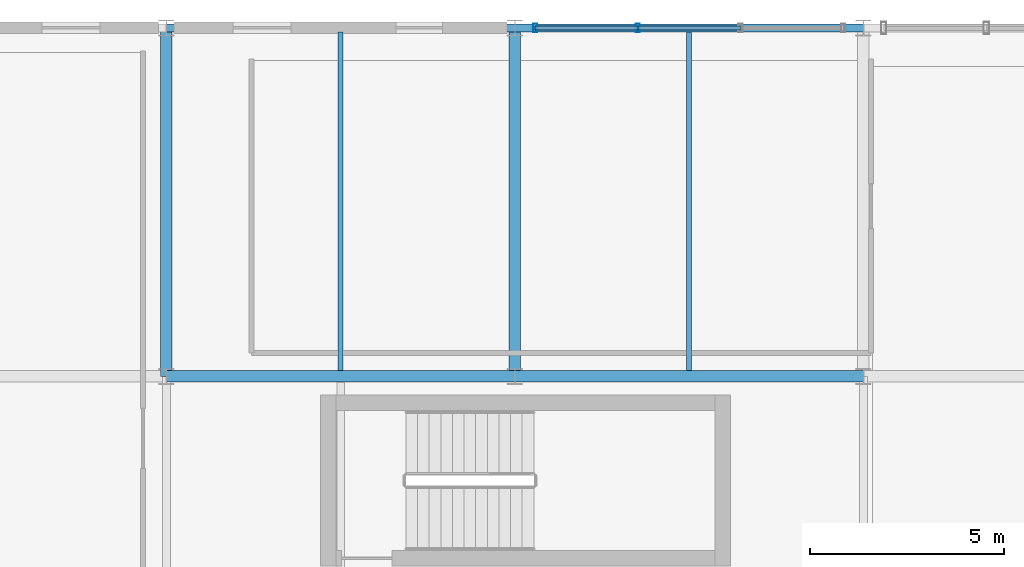
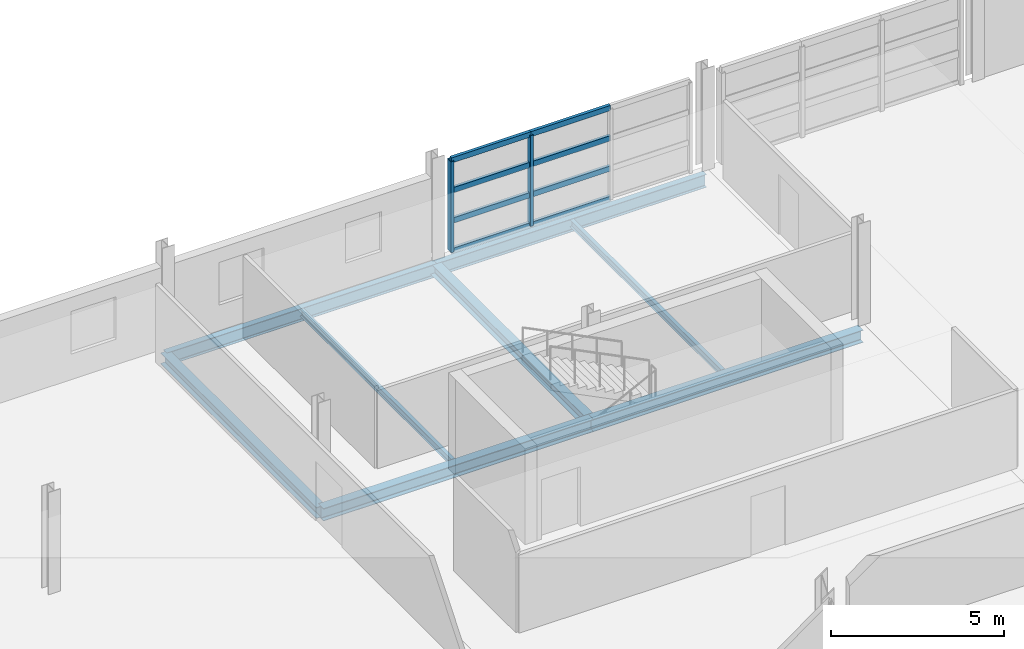
# One storey, part 78 of 116: 10 members, 8 beams, 1 element without a shape of its own.
"""IFC4 building model written with IfcOpenShell, lengths in metres."""

import ifcopenshell
import ifcopenshell.guid

model = None  # the IFC model being written
_history = None  # IfcOwnerHistory: only IFC2X3 demands one
_inside = {}  # id of a spatial element -> (the spatial element, [elements in it])
_under = {}  # id of a project, library or spatial element -> (it, [spatial elements below it])
_declared = {}  # id of a project -> (the project, [libraries it declares])
_typed = {}  # id of a type object -> (the type object, [elements of that type])
_made_of = {}  # id of a material, layer set ... -> (it, [elements and type objects made of it])


def new_model(schema):
    """Start an empty IFC model of exactly this schema.

    Asked for "IFC4X3", IfcOpenShell would pick the latest addendum, in which some entities
    have other attributes; the version numbers below select the first issue.
    IFC2X3 requires an IfcOwnerHistory on every rooted entity: one is made here for all.
    """
    global model, _history
    if schema == "IFC4X3":
        model = ifcopenshell.file(schema_version=(4, 3, 0, 0))
    else:
        model = ifcopenshell.file(schema=schema)
    _inside.clear()
    _under.clear()
    _declared.clear()
    _typed.clear()
    _made_of.clear()
    _history = None
    if model.schema == "IFC2X3":
        org = make("IfcOrganization", Name="unknown")
        user = make(
            "IfcPersonAndOrganization",
            ThePerson=make("IfcPerson", FamilyName="unknown"),
            TheOrganization=org,
        )
        app = make(
            "IfcApplication",
            ApplicationDeveloper=org,
            Version="unknown",
            ApplicationFullName="unknown",
            ApplicationIdentifier="unknown",
        )
        _history = make(
            "IfcOwnerHistory",
            OwningUser=user,
            OwningApplication=app,
            ChangeAction="ADDED",
            CreationDate=0,
        )
    return model


def make(cls, **values):
    """One entity of the class cls with the attributes given. An attribute that is None is left unset."""
    return model.create_entity(
        cls, **{name: value for name, value in values.items() if value is not None}
    )


def rooted(cls, **values):
    """An entity with a GlobalId (a new one), such as an element, a storey or a relation."""
    return make(cls, GlobalId=ifcopenshell.guid.new(), OwnerHistory=_history, **values)


def si_unit(unit_type, name, prefix=None):
    """IfcSIUnit, for example si_unit("LENGTHUNIT", "METRE", prefix="MILLI")."""
    return make("IfcSIUnit", UnitType=unit_type, Prefix=prefix, Name=name)


def assignment(units):
    """IfcUnitAssignment: the units of a project."""
    return None if units is None else make("IfcUnitAssignment", Units=units)


def point(xyz):
    """IfcCartesianPoint."""
    return None if xyz is None else make("IfcCartesianPoint", Coordinates=xyz)


def direction(xyz):
    """IfcDirection."""
    return None if xyz is None else make("IfcDirection", DirectionRatios=xyz)


def frame(location, z_axis=None, x_axis=None):
    """IfcAxis2Placement3D, a coordinate frame: its origin and axes. An axis left out is left unset."""
    return make(
        "IfcAxis2Placement3D",
        Location=point(location),
        Axis=direction(z_axis),
        RefDirection=direction(x_axis),
    )


def frame_2d(location, x_axis=None):
    """IfcAxis2Placement2D, a coordinate frame in the plane: its origin and x axis."""
    return make(
        "IfcAxis2Placement2D", Location=point(location), RefDirection=direction(x_axis)
    )


def origin():
    """The frame at (0, 0, 0) with its axes left unset."""
    return frame((0.0, 0.0, 0.0))


def origin_2d():
    """The frame at (0, 0) in the plane with its x axis left unset."""
    return frame_2d((0.0, 0.0))


def place(relative_to, where):
    """IfcLocalPlacement: puts the frame where relative to a parent placement (None: the world)."""
    return make(
        "IfcLocalPlacement", PlacementRelTo=relative_to, RelativePlacement=where
    )


def context(
    kind, dimensions, precision=None, world=None, true_north=None, identifier=None
):
    """IfcGeometricRepresentationContext, for example the 3D "Model" context."""
    return make(
        "IfcGeometricRepresentationContext",
        ContextIdentifier=identifier,
        ContextType=kind,
        CoordinateSpaceDimension=dimensions,
        Precision=precision,
        WorldCoordinateSystem=world,
        TrueNorth=true_north,
    )


def subcontext(parent, identifier, kind, view, scale=None):
    """IfcGeometricRepresentationSubContext, for example "Body" below "Model"."""
    return make(
        "IfcGeometricRepresentationSubContext",
        ContextIdentifier=identifier,
        ContextType=kind,
        ParentContext=parent,
        TargetScale=scale,
        TargetView=view,
    )


def project(units=None, contexts=None):
    """IfcProject with its units and contexts."""
    return rooted(
        "IfcProject",
        Name="project",
        RepresentationContexts=contexts,
        UnitsInContext=assignment(units),
    )


def spatial(cls, under=None, at=None, **own):
    """A site, building, storey or space (cls), placed at a placement, below another one or the project."""
    s = rooted(cls, ObjectPlacement=at, **own)
    if under is not None:
        _under.setdefault(under.id(), (under, []))[1].append(s)
    return s


def profile(cls, at=None, kind="AREA", **sizes):
    """A parametric profile (cls). Its sizes go by their IFC names, for example OverallWidth=200.0."""
    return make(cls, ProfileType=kind, Position=at, **sizes)


def hollow_rectangle(**sizes):
    """IfcRectangleHollowProfileDef."""
    return profile("IfcRectangleHollowProfileDef", **sizes)


def i_section(**sizes):
    """IfcIShapeProfileDef."""
    return profile("IfcIShapeProfileDef", **sizes)


def extrude(swept, where, along, depth):
    """IfcExtrudedAreaSolid: the profile swept, set in the frame where, extruded along a direction by depth."""
    return make(
        "IfcExtrudedAreaSolid",
        SweptArea=swept,
        Position=where,
        ExtrudedDirection=direction(along),
        Depth=depth,
    )


def shape(context_of_items, identifier, shape_type, items):
    """IfcShapeRepresentation: the items that make up one representation, for example the "Body"."""
    return make(
        "IfcShapeRepresentation",
        ContextOfItems=context_of_items,
        RepresentationIdentifier=identifier,
        RepresentationType=shape_type,
        Items=items,
    )


def material(Name=None, Category=None):
    """IfcMaterial."""
    return make("IfcMaterial", Name=Name, Category=Category)


def material_profile(
    of_material, cross_section, Name=None, Category=None, Priority=None
):
    """IfcMaterialProfile: a cross section and its material."""
    return make(
        "IfcMaterialProfile",
        Name=Name,
        Material=of_material,
        Profile=cross_section,
        Priority=Priority,
        Category=Category,
    )


def profile_set(profiles, Name=None, composite=None):
    """IfcMaterialProfileSet."""
    return make(
        "IfcMaterialProfileSet",
        Name=Name,
        MaterialProfiles=profiles,
        CompositeProfile=composite,
    )


def made_of(thing, what):
    """Note that an element or type object is made of a material, layer set ...; save() writes the relation."""
    if what is not None:
        _made_of.setdefault(what.id(), (what, []))[1].append(thing)
    return thing


def type_object(cls, material=None, **own):
    """A type object (cls), such as IfcWallType, which elements share."""
    return made_of(rooted(cls, **own), material)


def element(
    cls,
    number,
    at=None,
    inside=None,
    cuts=None,
    type_object=None,
    material=None,
    context=None,
    identifier="Body",
    shape_type=None,
    held_by="IfcProductDefinitionShape",
    body=None,
    shapes=None,
    **own,
):
    """One element of the class cls, such as IfcWall. Its Tag is "e" and its number.

    at: its placement. inside: the storey or other place that contains it. cuts: it is an
    opening in that element (IfcRelVoidsElement). A single representation is given by context,
    identifier, shape_type and body (its items); several are given by shapes. held_by: the class
    of the entity that holds the representations. save() writes the other relations.
    """
    e = rooted(cls, Tag="e%d" % number, ObjectPlacement=at, **own)
    if body is not None:
        shapes = [shape(context, identifier, shape_type, body)]
    if shapes is not None:
        e.Representation = make(held_by, Representations=shapes)
    if inside is not None:
        _inside.setdefault(inside.id(), (inside, []))[1].append(e)
    if cuts is not None:
        rooted(
            "IfcRelVoidsElement", RelatingBuildingElement=cuts, RelatedOpeningElement=e
        )
    if type_object is not None:
        _typed.setdefault(type_object.id(), (type_object, []))[1].append(e)
    return made_of(e, material)


def aggregate(whole, parts):
    """IfcRelAggregates: a whole, such as a stair, and the parts it consists of."""
    return rooted("IfcRelAggregates", RelatingObject=whole, RelatedObjects=parts)


def save(model, path):
    """Write the relations noted so far, then the file.

    IfcRelAggregates (storeys below a building ...), IfcRelContainedInSpatialStructure (elements
    in a storey), IfcRelDefinesByType, IfcRelAssociatesMaterial and IfcRelDeclares: one each for
    every whole, place, type object, material and project.
    """
    for whole, parts in _under.values():
        aggregate(whole, parts)
    for where, things in _inside.values():
        rooted(
            "IfcRelContainedInSpatialStructure",
            RelatedElements=things,
            RelatingStructure=where,
        )
    for kind, things in _typed.values():
        rooted("IfcRelDefinesByType", RelatedObjects=things, RelatingType=kind)
    for what, things in _made_of.values():
        rooted("IfcRelAssociatesMaterial", RelatedObjects=things, RelatingMaterial=what)
    for by, libraries in _declared.values():
        rooted("IfcRelDeclares", RelatingContext=by, RelatedDefinitions=libraries)
    model.write(path)


model = new_model("IFC4")

# Units and contexts
model_context = context("Model", 3, precision=1e-05, world=origin(), true_north=direction((0.0, 1.0)))
body_context = subcontext(model_context, "Body", "Model", "MODEL_VIEW")
ifc_project = project(units=[si_unit("LENGTHUNIT", "METRE"), si_unit("AREAUNIT", "SQUARE_METRE"), si_unit("VOLUMEUNIT", "CUBIC_METRE"), si_unit("PLANEANGLEUNIT", "RADIAN"), si_unit("MASSUNIT", "GRAM", prefix="KILO")], contexts=[model_context])

# Site, building, storey
site_placement = place(None, origin())
site = spatial("IfcSite", under=ifc_project, at=site_placement, CompositionType="ELEMENT")
building_placement = place(site_placement, origin())
building = spatial("IfcBuilding", under=site, at=building_placement, Name="Chuanluo Vaults Station", CompositionType="ELEMENT")
storey_placement = place(building_placement, frame((0.0, 0.0, 10.800048828125)))
storey = spatial("IfcBuildingStorey", under=building, at=storey_placement, Name="L02", CompositionType="ELEMENT", Elevation=10.800048828125)

# Beams
ifc_material_1 = material(Name="Steel Q355C", Category="steel")
ifc_material_profile_1 = material_profile(ifc_material_1, i_section(OverallWidth=0.300048828125, OverallDepth=0.389892578125, WebThickness=0.010009765625, FlangeThickness=0.01611328125, FilletRadius=0.02001953125, at=origin_2d()))
ifc_profile_set_1 = profile_set([ifc_material_profile_1], Name="Steel Q355C")
beam_type_1 = type_object("IfcBeamType", Name="BM-GRD-400", PredefinedType="BEAM", material=ifc_profile_set_1)
for number, where, z_axis, x_axis, name in (
    (1, (145.0, 117.0, -0.4150390625), (0.0, 1.0, 0.0), (-1.0, 0.0, 0.0), "Floor girder BM:GY:L02:0651"),
    (2, (154.0, 117.0, -0.4150390625), (0.0, 1.0, 0.0), (-1.0, 0.0, 0.0), "Floor girder BM:GY:L02:0662"),
):
    element("IfcBeam", number, at=place(storey_placement, frame(where, z_axis=z_axis, x_axis=x_axis)), inside=storey, type_object=beam_type_1, Name=name, PredefinedType="BEAM", context=body_context, shape_type="SweptSolid", body=[
        extrude(i_section(OverallWidth=0.300048828125, OverallDepth=0.389892578125, WebThickness=0.010009765625, FlangeThickness=0.01611328125, FilletRadius=0.02001953125, at=origin_2d()), origin(), (0.0, 0.0, 1.0), 9.0),
    ])
ifc_material_2 = material(Name="Steel Q355C", Category="steel")
ifc_material_profile_2 = material_profile(ifc_material_2, i_section(OverallWidth=0.300048828125, OverallDepth=0.43994140625, WebThickness=0.010986328125, FlangeThickness=0.01806640625, FilletRadius=0.02001953125, at=origin_2d()))
ifc_profile_set_2 = profile_set([ifc_material_profile_2], Name="Steel Q355C")
beam_type_2 = type_object("IfcBeamType", Name="BM-GRD-450", PredefinedType="USERDEFINED", material=ifc_profile_set_2)
for number, where, z_axis, x_axis, name in (
    (3, (145.0, 117.0, -0.43994140625), (1.0, 0.0, 0.0), (0.0, 1.0, 0.0), "Floor girder BM:GX:L02:0608"),
    (4, (154.0, 117.0, -0.43994140625), (1.0, 0.0, 0.0), (0.0, 1.0, 0.0), "Floor girder BM:GX:L02:0609"),
):
    element("IfcBeam", number, at=place(storey_placement, frame(where, z_axis=z_axis, x_axis=x_axis)), inside=storey, type_object=beam_type_2, Name=name, ObjectType="GIRDER", PredefinedType="USERDEFINED", context=body_context, shape_type="SweptSolid", body=[
        extrude(i_section(OverallWidth=0.300048828125, OverallDepth=0.43994140625, WebThickness=0.010986328125, FlangeThickness=0.01806640625, FilletRadius=0.02001953125, at=origin_2d()), origin(), (0.0, 0.0, 1.0), 9.0),
    ])
ifc_material_3 = material(Name="Steel Q355C", Category="steel")
ifc_material_profile_3 = material_profile(ifc_material_3, i_section(OverallWidth=0.125, OverallDepth=0.25, WebThickness=0.006103515625, FlangeThickness=0.009033203125, FilletRadius=0.011962890625, at=origin_2d()))
ifc_profile_set_3 = profile_set([ifc_material_profile_3], Name="Steel Q355C")
beam_type_3 = type_object("IfcBeamType", Name="BM-SEC-250", PredefinedType="JOIST", material=ifc_profile_set_3)
for number, where, z_axis, x_axis, name in (
    (5, (149.5, 117.155029296875, -0.344970703125), (0.0, 1.0, 0.0), (-1.0, 0.0, 0.0), "Composite secondary joist 0208"),
    (6, (158.5, 117.155029296875, -0.344970703125), (0.0, 1.0, 0.0), (-1.0, 0.0, 0.0), "Composite secondary joist 0216"),
):
    element("IfcBeam", number, at=place(storey_placement, frame(where, z_axis=z_axis, x_axis=x_axis)), inside=storey, type_object=beam_type_3, Name=name, PredefinedType="JOIST", context=body_context, shape_type="SweptSolid", body=[
        extrude(i_section(OverallWidth=0.125, OverallDepth=0.25, WebThickness=0.006103515625, FlangeThickness=0.009033203125, FilletRadius=0.011962890625, at=origin_2d()), origin(), (0.0, 0.0, 1.0), 8.737548828125),
    ])
ifc_material_4 = material(Name="Steel Q355C", Category="steel")
ifc_material_profile_4 = material_profile(ifc_material_4, i_section(OverallWidth=0.205078125, OverallDepth=0.4599609375, WebThickness=0.009033203125, FlangeThickness=0.013916015625, FilletRadius=0.01611328125, at=origin_2d()))
ifc_profile_set_4 = profile_set([ifc_material_profile_4], Name="Steel Q355C")
beam_type_4 = type_object("IfcBeamType", Name="BM-SPN-450", PredefinedType="SPANDREL", material=ifc_profile_set_4)
for number, where, z_axis, x_axis, name in (
    (7, (145.0, 126.0, -0.449951171875), (1.0, 0.0, 0.0), (0.0, 1.0, 0.0), "Floor girder BM:GX:L02:0615"),
    (8, (154.0, 126.0, -0.449951171875), (1.0, 0.0, 0.0), (0.0, 1.0, 0.0), "Floor girder BM:GX:L02:0616"),
):
    element("IfcBeam", number, at=place(storey_placement, frame(where, z_axis=z_axis, x_axis=x_axis)), inside=storey, type_object=beam_type_4, Name=name, PredefinedType="SPANDREL", context=body_context, shape_type="SweptSolid", body=[
        extrude(i_section(OverallWidth=0.205078125, OverallDepth=0.4599609375, WebThickness=0.009033203125, FlangeThickness=0.013916015625, FilletRadius=0.01611328125, at=origin_2d()), origin(), (0.0, 0.0, 1.0), 9.0),
    ])

# Curtain wall, members
ifc_material_5 = material(Name="Anodised aluminium 6063-T6", Category="aluminium")
curtain_wall_type = type_object("IfcCurtainWallType", Name="CW-SYS-12", PredefinedType="NOTDEFINED", material=ifc_material_5)
curtain_wall_placement = place(storey_placement, origin())
curtain_wall = element("IfcCurtainWall", 9, at=curtain_wall_placement, inside=storey, type_object=curtain_wall_type, Name="Operations L02 facade CW", PredefinedType="NOTDEFINED")
ifc_material_6 = material(Name="Anodised aluminium 6063-T6", Category="aluminium")
ifc_material_profile_5 = material_profile(ifc_material_6, hollow_rectangle(XDim=0.10498046875, YDim=0.219970703125, WallThickness=0.006103515625, at=origin_2d()))
ifc_profile_set_5 = profile_set([ifc_material_profile_5], Name="Anodised aluminium 6063-T6")
member_type_1 = type_object("IfcMemberType", Name="CWM-140", PredefinedType="MULLION", material=ifc_profile_set_5)
member_1_placement = place(storey_placement, frame((154.52490234375, 126.0, 0.0), z_axis=(0.0, 0.0, 1.0), x_axis=(1.0, 0.0, 0.0)))
member_1 = element("IfcMember", 10, at=member_1_placement, type_object=member_type_1, Name="Operations L02 facade CW mullion 1", PredefinedType="MULLION", context=body_context, shape_type="SweptSolid", body=[
    extrude(hollow_rectangle(XDim=0.10498046875, YDim=0.219970703125, WallThickness=0.006103515625, at=origin_2d()), origin(), (0.0, 0.0, 1.0), 3.199951171875),
])
member_2_placement = place(storey_placement, frame((157.175048828125, 126.0, 0.0), z_axis=(0.0, 0.0, 1.0), x_axis=(1.0, 0.0, 0.0)))
member_2 = element("IfcMember", 11, at=member_2_placement, type_object=member_type_1, Name="Operations L02 facade CW mullion 2", PredefinedType="MULLION", context=body_context, shape_type="SweptSolid", body=[
    extrude(hollow_rectangle(XDim=0.10498046875, YDim=0.219970703125, WallThickness=0.006103515625, at=origin_2d()), origin(), (0.0, 0.0, 1.0), 3.199951171875),
])
ifc_material_7 = material(Name="Anodised aluminium 6063-T6", Category="aluminium")
ifc_material_profile_6 = material_profile(ifc_material_7, hollow_rectangle(XDim=0.10498046875, YDim=0.18505859375, WallThickness=0.0048828125, at=origin_2d()))
ifc_profile_set_6 = profile_set([ifc_material_profile_6], Name="Anodised aluminium 6063-T6")
member_type_2 = type_object("IfcMemberType", Name="CWT-110", PredefinedType="USERDEFINED", material=ifc_profile_set_6)
member_3_placement = place(storey_placement, frame((154.52490234375, 126.0, 0.0), z_axis=(1.0, 0.0, 0.0), x_axis=(0.0, 1.0, 0.0)))
member_3 = element("IfcMember", 12, at=member_3_placement, type_object=member_type_2, Name="Operations L02 facade CW transom 1.1", ObjectType="TRANSOM", PredefinedType="USERDEFINED", context=body_context, shape_type="SweptSolid", body=[
    extrude(hollow_rectangle(XDim=0.10498046875, YDim=0.18505859375, WallThickness=0.0048828125, at=origin_2d()), origin(), (0.0, 0.0, 1.0), 2.650146484375),
])
member_4_placement = place(storey_placement, frame((154.52490234375, 126.0, 1.066650390625), z_axis=(1.0, 0.0, 0.0), x_axis=(0.0, 1.0, 0.0)))
member_4 = element("IfcMember", 13, at=member_4_placement, type_object=member_type_2, Name="Operations L02 facade CW transom 1.2", ObjectType="TRANSOM", PredefinedType="USERDEFINED", context=body_context, shape_type="SweptSolid", body=[
    extrude(hollow_rectangle(XDim=0.10498046875, YDim=0.18505859375, WallThickness=0.0048828125, at=origin_2d()), origin(), (0.0, 0.0, 1.0), 2.650146484375),
])
member_5_placement = place(storey_placement, frame((154.52490234375, 126.0, 2.13330078125), z_axis=(1.0, 0.0, 0.0), x_axis=(0.0, 1.0, 0.0)))
member_5 = element("IfcMember", 14, at=member_5_placement, type_object=member_type_2, Name="Operations L02 facade CW transom 1.3", ObjectType="TRANSOM", PredefinedType="USERDEFINED", context=body_context, shape_type="SweptSolid", body=[
    extrude(hollow_rectangle(XDim=0.10498046875, YDim=0.18505859375, WallThickness=0.0048828125, at=origin_2d()), origin(), (0.0, 0.0, 1.0), 2.650146484375),
])
member_6_placement = place(storey_placement, frame((154.52490234375, 126.0, 3.199951171875), z_axis=(1.0, 0.0, 0.0), x_axis=(0.0, 1.0, 0.0)))
member_6 = element("IfcMember", 15, at=member_6_placement, type_object=member_type_2, Name="Operations L02 facade CW transom 1.4", ObjectType="TRANSOM", PredefinedType="USERDEFINED", context=body_context, shape_type="SweptSolid", body=[
    extrude(hollow_rectangle(XDim=0.10498046875, YDim=0.18505859375, WallThickness=0.0048828125, at=origin_2d()), origin(), (0.0, 0.0, 1.0), 2.650146484375),
])
member_7_placement = place(storey_placement, frame((157.175048828125, 126.0, 0.0), z_axis=(1.0, 0.0, 0.0), x_axis=(0.0, 1.0, 0.0)))
member_7 = element("IfcMember", 16, at=member_7_placement, type_object=member_type_2, Name="Operations L02 facade CW transom 2.1", ObjectType="TRANSOM", PredefinedType="USERDEFINED", context=body_context, shape_type="SweptSolid", body=[
    extrude(hollow_rectangle(XDim=0.10498046875, YDim=0.18505859375, WallThickness=0.0048828125, at=origin_2d()), origin(), (0.0, 0.0, 1.0), 2.64990234375),
])
member_8_placement = place(storey_placement, frame((157.175048828125, 126.0, 1.066650390625), z_axis=(1.0, 0.0, 0.0), x_axis=(0.0, 1.0, 0.0)))
member_8 = element("IfcMember", 17, at=member_8_placement, type_object=member_type_2, Name="Operations L02 facade CW transom 2.2", ObjectType="TRANSOM", PredefinedType="USERDEFINED", context=body_context, shape_type="SweptSolid", body=[
    extrude(hollow_rectangle(XDim=0.10498046875, YDim=0.18505859375, WallThickness=0.0048828125, at=origin_2d()), origin(), (0.0, 0.0, 1.0), 2.64990234375),
])
member_9_placement = place(storey_placement, frame((157.175048828125, 126.0, 2.13330078125), z_axis=(1.0, 0.0, 0.0), x_axis=(0.0, 1.0, 0.0)))
member_9 = element("IfcMember", 18, at=member_9_placement, type_object=member_type_2, Name="Operations L02 facade CW transom 2.3", ObjectType="TRANSOM", PredefinedType="USERDEFINED", context=body_context, shape_type="SweptSolid", body=[
    extrude(hollow_rectangle(XDim=0.10498046875, YDim=0.18505859375, WallThickness=0.0048828125, at=origin_2d()), origin(), (0.0, 0.0, 1.0), 2.64990234375),
])
member_10_placement = place(storey_placement, frame((157.175048828125, 126.0, 3.199951171875), z_axis=(1.0, 0.0, 0.0), x_axis=(0.0, 1.0, 0.0)))
member_10 = element("IfcMember", 19, at=member_10_placement, type_object=member_type_2, Name="Operations L02 facade CW transom 2.4", ObjectType="TRANSOM", PredefinedType="USERDEFINED", context=body_context, shape_type="SweptSolid", body=[
    extrude(hollow_rectangle(XDim=0.10498046875, YDim=0.18505859375, WallThickness=0.0048828125, at=origin_2d()), origin(), (0.0, 0.0, 1.0), 2.64990234375),
])
aggregate(curtain_wall, [member_1, member_2, member_3, member_4, member_5, member_6, member_7, member_8, member_9, member_10])

save(model, "model.ifc")
